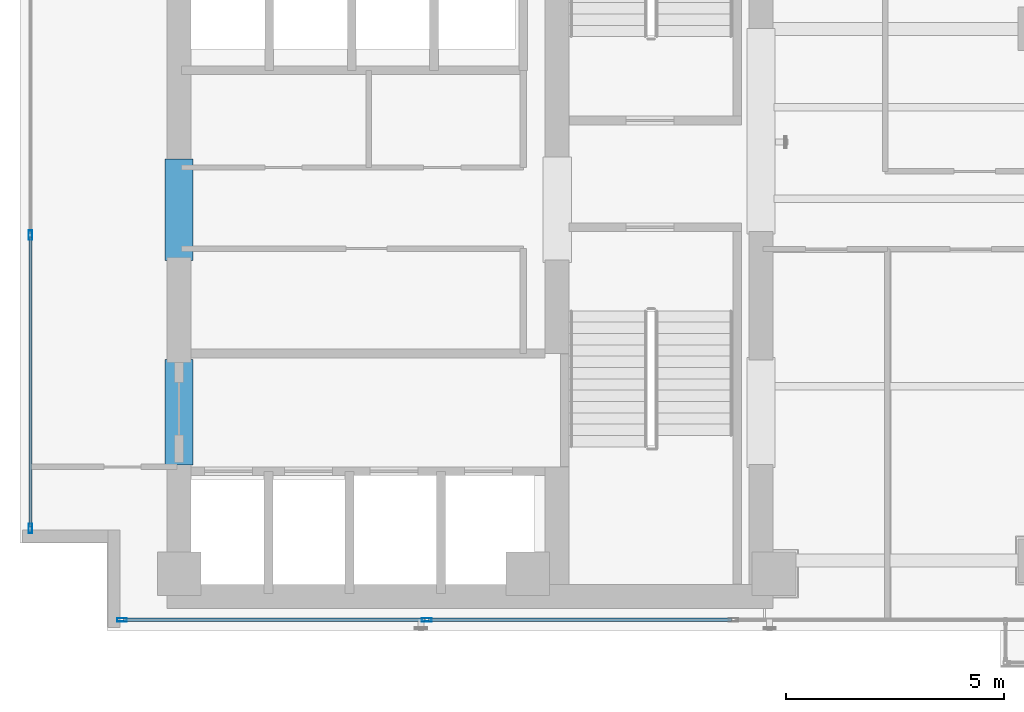
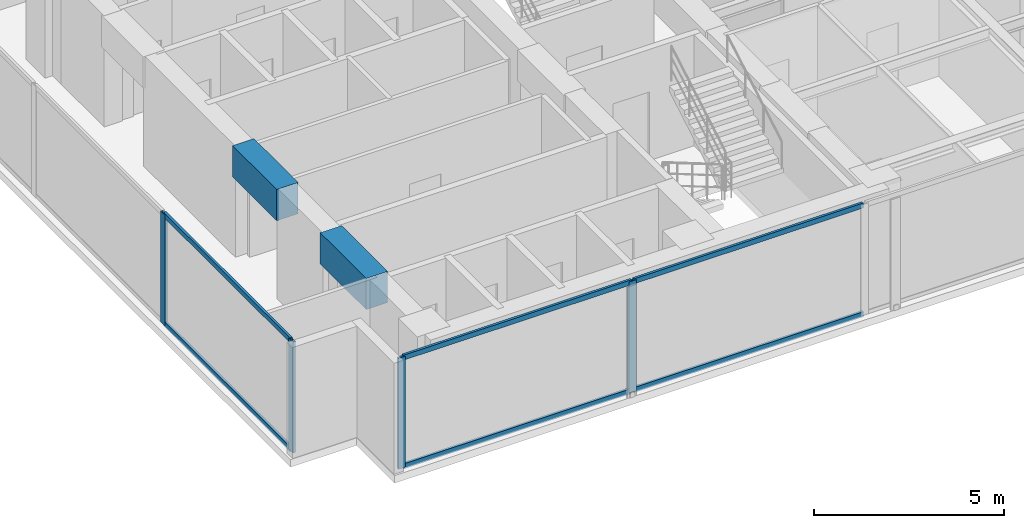
# One storey, part 2 of 23: 10 members, 2 beams, 2 elements without a shape of their own.
"""IFC4 building model written with IfcOpenShell, lengths in metres."""

from ifc_helpers import new_model, si_unit, direction, frame, origin, origin_with_axes, origin_2d, place, context, subcontext, project, spatial, rectangle, hollow_rectangle, extrude, source, transform, mapped, material, layer, layer_set, material_profile, profile_set, type_object, element, aggregate, save


model = new_model("IFC4")

# Units and contexts
model_context = context("Model", 3, precision=1e-05, world=origin(), true_north=direction((0.0, 1.0)))
body_context = subcontext(model_context, "Body", "Model", "MODEL_VIEW")
ifc_project = project(units=[si_unit("LENGTHUNIT", "METRE"), si_unit("AREAUNIT", "SQUARE_METRE"), si_unit("VOLUMEUNIT", "CUBIC_METRE"), si_unit("PLANEANGLEUNIT", "RADIAN"), si_unit("MASSUNIT", "GRAM", prefix="KILO")], contexts=[model_context])

# Site, building, storey
site_placement = place(None, origin())
site = spatial("IfcSite", under=ifc_project, at=site_placement, CompositionType="ELEMENT")
building_placement = place(site_placement, origin())
building = spatial("IfcBuilding", under=site, at=building_placement, Name="Kolvaren Waterfront Exchange", CompositionType="ELEMENT")
storey_placement = place(building_placement, frame((0.0, 0.0, 231.10009765625)))
storey = spatial("IfcBuildingStorey", under=building, at=storey_placement, Name="L59", CompositionType="ELEMENT", Elevation=231.10009765625)

# Beams
ifc_material_1 = material(Name="Concrete C60/75", Category="concrete")
ifc_material_profile_1 = material_profile(ifc_material_1, rectangle(XDim=0.64990234375, YDim=1.0, at=origin_2d()), Name="RC-CB-1000x650")
ifc_profile_set_1 = profile_set([ifc_material_profile_1], Name="Concrete C60/75")
beam_type = type_object("IfcBeamType", Name="STR-CB-1000", PredefinedType="SPANDREL", material=ifc_profile_set_1)
beam_1_placement = place(storey_placement, frame((7.449951171875, 7.389892578125, 3.059814453125), z_axis=(0.0, 1.0, 0.0), x_axis=(-1.0, 0.0, 0.0)))
element("IfcBeam", 1, at=beam_1_placement, inside=storey, type_object=beam_type, Name="L59 core coupling beam 3", PredefinedType="SPANDREL", context=body_context, shape_type="SweptSolid", body=[
    extrude(rectangle(XDim=0.64990234375, YDim=1.0, at=origin_2d()), origin(), (0.0, 0.0, 1.0), 2.420166015625),
])
beam_2_placement = place(storey_placement, frame((7.449951171875, 12.090087890625, 3.059814453125), z_axis=(0.0, 1.0, 0.0), x_axis=(-1.0, 0.0, 0.0)))
element("IfcBeam", 2, at=beam_2_placement, inside=storey, type_object=beam_type, Name="L59 core coupling beam 4", PredefinedType="SPANDREL", context=body_context, shape_type="SweptSolid", body=[
    extrude(rectangle(XDim=0.64990234375, YDim=1.0, at=origin_2d()), origin(), (0.0, 0.0, 1.0), 2.31982421875),
])

# Curtain wall, members
ifc_material_2 = material(Name="Anodised aluminium 6063-T6", Category="aluminium")
ifc_layer_1 = layer(ifc_material_2, 0.219970703125, Name="Anodised aluminium 6063-T6")
ifc_layer_set_1 = layer_set([ifc_layer_1], Name="Anodised aluminium 6063-T6")
curtain_wall_type_1 = type_object("IfcCurtainWallType", Name="ARC-CW-SYS2", PredefinedType="USERDEFINED", material=ifc_layer_set_1)
curtain_wall_1_placement = place(storey_placement, origin())
curtain_wall_1 = element("IfcCurtainWall", 3, at=curtain_wall_1_placement, inside=storey, type_object=curtain_wall_type_1, Name="L59 stick curtain wall CW2 (CW-L59-W)", ObjectType="STICK CURTAIN WALL", PredefinedType="USERDEFINED")
ifc_material_profile_2 = material_profile(ifc_material_2, hollow_rectangle(XDim=0.074951171875, YDim=0.159912109375, WallThickness=0.00439453125, at=origin_2d()), Name="ALU-TRN-160x75x4.5")
ifc_profile_set_2 = profile_set([ifc_material_profile_2], Name="Anodised aluminium 6063-T6")
member_type_1 = type_object("IfcMemberType", Name="ARC-CWT-160", PredefinedType="USERDEFINED", material=ifc_profile_set_2)
shared_shape_1 = source(origin_with_axes(), body_context, "Body", "SweptSolid", [
    extrude(hollow_rectangle(XDim=0.074951171875, YDim=0.159912109375, WallThickness=0.00439453125, at=origin_2d()), origin(), (0.0, 0.0, 1.0), 6.646728515625),
])
member_1_placement = place(storey_placement, frame((4.0400390625, 5.97998046875, 0.037353515625), z_axis=(0.0, 1.0, 0.0), x_axis=(-1.0, 0.0, 0.0)))
member_1 = element("IfcMember", 4, at=member_1_placement, type_object=member_type_1, Name="CW2 transom 1.1", ObjectType="TRANSOM", PredefinedType="USERDEFINED", context=body_context, shape_type="MappedRepresentation", body=[
    mapped(shared_shape_1, transform((0.0, 0.0, 0.0), x_axis=(1.0, 0.0, 0.0), y_axis=(0.0, 1.0, 0.0), z_axis=(0.0, 0.0, 1.0), scale=1.0)),
])
member_2_placement = place(storey_placement, frame((4.0400390625, 5.97998046875, 3.5224609375), z_axis=(0.0, 1.0, 0.0), x_axis=(-1.0, 0.0, 0.0)))
member_2 = element("IfcMember", 5, at=member_2_placement, type_object=member_type_1, Name="CW2 transom 1.2", ObjectType="TRANSOM", PredefinedType="USERDEFINED", context=body_context, shape_type="MappedRepresentation", body=[
    mapped(shared_shape_1, transform((0.0, 0.0, 0.0), x_axis=(1.0, 0.0, 0.0), y_axis=(0.0, 1.0, 0.0), z_axis=(0.0, 0.0, 1.0), scale=1.0)),
])

ifc_material_3 = material(Name="Anodised bronze aluminium 6063-T6", Category="aluminium")
ifc_layer_2 = layer(ifc_material_3, 0.219970703125, Name="Anodised bronze aluminium 6063-T6")
ifc_layer_set_2 = layer_set([ifc_layer_2], Name="Anodised bronze aluminium 6063-T6")
curtain_wall_type_2 = type_object("IfcCurtainWallType", Name="ARC-CW-SYS1", PredefinedType="USERDEFINED", material=ifc_layer_set_2)
curtain_wall_2_placement = place(storey_placement, origin())
curtain_wall_2 = element("IfcCurtainWall", 6, at=curtain_wall_2_placement, inside=storey, type_object=curtain_wall_type_2, Name="L59 stick curtain wall CW1 (CW-L59-S)", ObjectType="STICK CURTAIN WALL", PredefinedType="USERDEFINED")
ifc_material_profile_3 = material_profile(ifc_material_2, hollow_rectangle(XDim=0.080078125, YDim=0.219970703125, WallThickness=0.0048828125, at=origin_2d()), Name="ALU-MUL-220x80x5")
ifc_profile_set_3 = profile_set([ifc_material_profile_3], Name="Anodised aluminium 6063-T6")
member_type_2 = type_object("IfcMemberType", Name="ARC-CWM-220", PredefinedType="MULLION", material=ifc_profile_set_3)
shared_shape_2 = source(origin_with_axes(), body_context, "Body", "SweptSolid", [
    extrude(hollow_rectangle(XDim=0.080078125, YDim=0.219970703125, WallThickness=0.0048828125, at=origin_2d()), origin(), (0.0, 0.0, 1.0), 3.559814453125),
])
member_3_placement = place(storey_placement, frame((6.139892578125, 3.840087890625, 0.0), z_axis=(0.0, 0.0, 1.0), x_axis=(0.0, 1.0, 0.0)))
member_3 = element("IfcMember", 7, at=member_3_placement, type_object=member_type_2, Name="CW1 mullion 1", PredefinedType="MULLION", context=body_context, shape_type="MappedRepresentation", body=[
    mapped(shared_shape_2, transform((0.0, 0.0, 0.0), x_axis=(1.0, 0.0, 0.0), y_axis=(0.0, 1.0, 0.0), z_axis=(0.0, 0.0, 1.0), scale=1.0)),
])
member_4_placement = place(storey_placement, frame((13.13330078125, 3.840087890625, 0.0), z_axis=(0.0, 0.0, 1.0), x_axis=(0.0, 1.0, 0.0)))
member_4 = element("IfcMember", 8, at=member_4_placement, type_object=member_type_2, Name="CW1 mullion 2", PredefinedType="MULLION", context=body_context, shape_type="MappedRepresentation", body=[
    mapped(shared_shape_2, transform((0.0, 0.0, 0.0), x_axis=(1.0, 0.0, 0.0), y_axis=(0.0, 1.0, 0.0), z_axis=(0.0, 0.0, 1.0), scale=1.0)),
])

# Member
member_5_placement = place(storey_placement, frame((4.0400390625, 5.93994140625, 0.0), z_axis=(0.0, 0.0, 1.0), x_axis=(-1.0, 0.0, 0.0)))
member_5 = element("IfcMember", 9, at=member_5_placement, type_object=member_type_2, Name="CW2 mullion 1", PredefinedType="MULLION", context=body_context, shape_type="MappedRepresentation", body=[
    mapped(shared_shape_2, transform((0.0, 0.0, 0.0), x_axis=(1.0, 0.0, 0.0), y_axis=(0.0, 1.0, 0.0), z_axis=(0.0, 0.0, 1.0), scale=1.0)),
])

member_6_placement = place(storey_placement, frame((4.0400390625, 12.666748046875, 0.0), z_axis=(0.0, 0.0, 1.0), x_axis=(-1.0, 0.0, 0.0)))
member_6 = element("IfcMember", 10, at=member_6_placement, type_object=member_type_2, Name="CW2 mullion 2", PredefinedType="MULLION", context=body_context, shape_type="MappedRepresentation", body=[
    mapped(shared_shape_2, transform((0.0, 0.0, 0.0), x_axis=(1.0, 0.0, 0.0), y_axis=(0.0, 1.0, 0.0), z_axis=(0.0, 0.0, 1.0), scale=1.0)),
])

aggregate(curtain_wall_1, [member_5, member_6, member_1, member_2])

shared_shape_3 = source(origin_with_axes(), body_context, "Body", "SweptSolid", [
    extrude(hollow_rectangle(XDim=0.074951171875, YDim=0.159912109375, WallThickness=0.00439453125, at=origin_2d()), origin(), (0.0, 0.0, 1.0), 6.913330078125),
])
member_7_placement = place(storey_placement, frame((6.179931640625, 3.840087890625, 0.037353515625), z_axis=(1.0, 0.0, 0.0), x_axis=(0.0, 1.0, 0.0)))
member_7 = element("IfcMember", 11, at=member_7_placement, type_object=member_type_1, Name="CW1 transom 1.1", ObjectType="TRANSOM", PredefinedType="USERDEFINED", context=body_context, shape_type="MappedRepresentation", body=[
    mapped(shared_shape_3, transform((0.0, 0.0, 0.0), x_axis=(1.0, 0.0, 0.0), y_axis=(0.0, 1.0, 0.0), z_axis=(0.0, 0.0, 1.0), scale=1.0)),
])

member_8_placement = place(storey_placement, frame((6.179931640625, 3.840087890625, 3.5224609375), z_axis=(1.0, 0.0, 0.0), x_axis=(0.0, 1.0, 0.0)))
member_8 = element("IfcMember", 12, at=member_8_placement, type_object=member_type_1, Name="CW1 transom 1.2", ObjectType="TRANSOM", PredefinedType="USERDEFINED", context=body_context, shape_type="MappedRepresentation", body=[
    mapped(shared_shape_3, transform((0.0, 0.0, 0.0), x_axis=(1.0, 0.0, 0.0), y_axis=(0.0, 1.0, 0.0), z_axis=(0.0, 0.0, 1.0), scale=1.0)),
])

shared_shape_4 = source(origin_with_axes(), body_context, "Body", "SweptSolid", [
    extrude(hollow_rectangle(XDim=0.074951171875, YDim=0.159912109375, WallThickness=0.00439453125, at=origin_2d()), origin(), (0.0, 0.0, 1.0), 6.953369140625),
])
member_9_placement = place(storey_placement, frame((13.17333984375, 3.840087890625, 0.037353515625), z_axis=(1.0, 0.0, 0.0), x_axis=(0.0, 1.0, 0.0)))
member_9 = element("IfcMember", 13, at=member_9_placement, type_object=member_type_1, Name="CW1 transom 2.1", ObjectType="TRANSOM", PredefinedType="USERDEFINED", context=body_context, shape_type="MappedRepresentation", body=[
    mapped(shared_shape_4, transform((0.0, 0.0, 0.0), x_axis=(1.0, 0.0, 0.0), y_axis=(0.0, 1.0, 0.0), z_axis=(0.0, 0.0, 1.0), scale=1.0)),
])

member_10_placement = place(storey_placement, frame((13.17333984375, 3.840087890625, 3.5224609375), z_axis=(1.0, 0.0, 0.0), x_axis=(0.0, 1.0, 0.0)))
member_10 = element("IfcMember", 14, at=member_10_placement, type_object=member_type_1, Name="CW1 transom 2.2", ObjectType="TRANSOM", PredefinedType="USERDEFINED", context=body_context, shape_type="MappedRepresentation", body=[
    mapped(shared_shape_4, transform((0.0, 0.0, 0.0), x_axis=(1.0, 0.0, 0.0), y_axis=(0.0, 1.0, 0.0), z_axis=(0.0, 0.0, 1.0), scale=1.0)),
])

aggregate(curtain_wall_2, [member_3, member_4, member_7, member_8, member_9, member_10])

save(model, "model.ifc")
